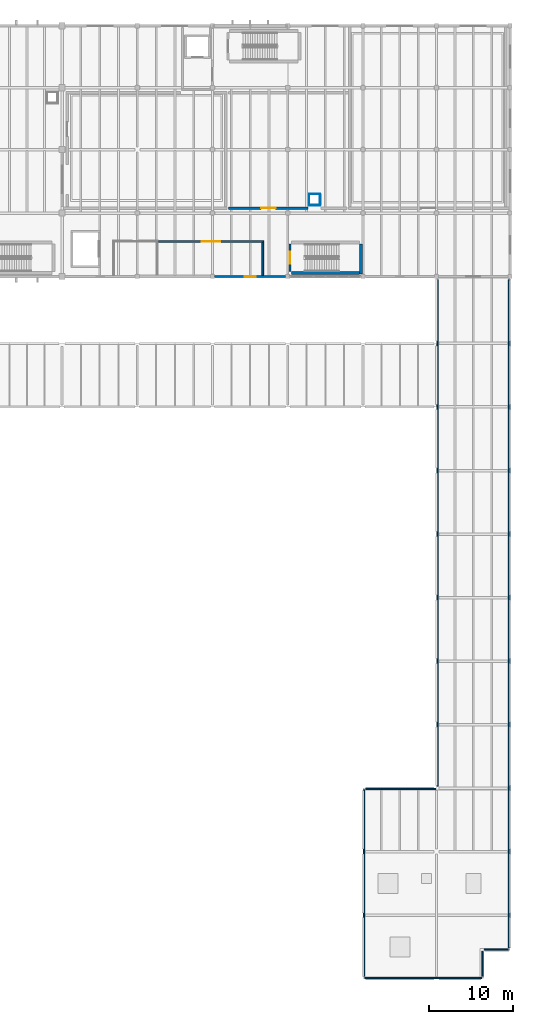
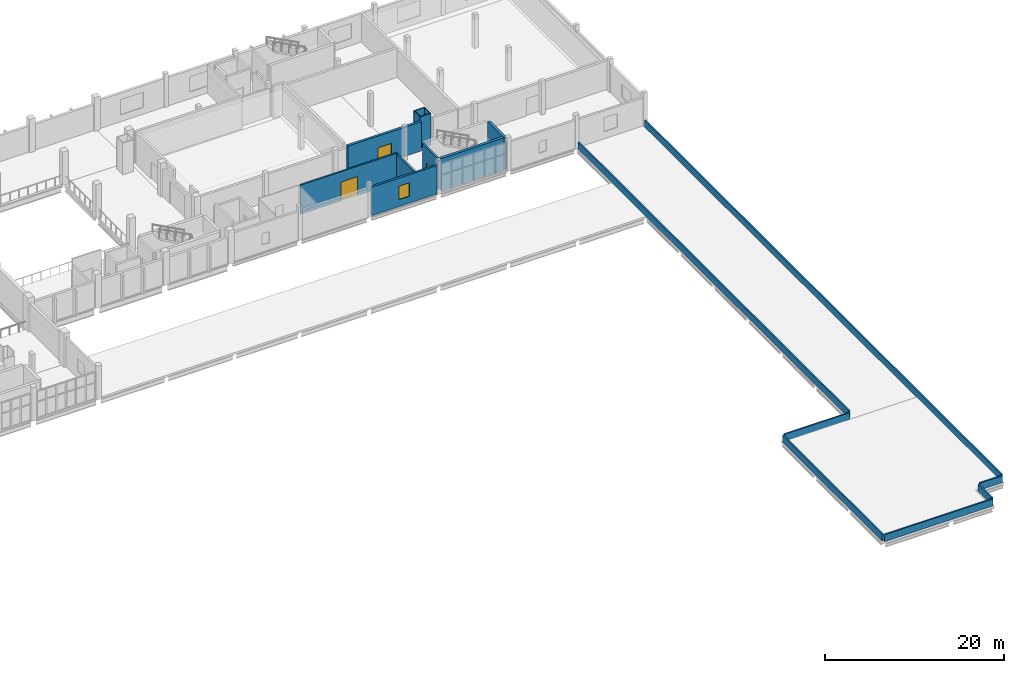
# One storey, part 63 of 74: 18 walls, 3 doors, 1 window, 4 openings.
"""IFC4 building model written with IfcOpenShell, lengths in metres."""

from ifc_helpers import new_model, si_unit, direction, frame, frame_2d, origin, place, context, subcontext, project, spatial, rectangle, extrude, material, layer, layer_set, type_object, element, fill, save


model = new_model("IFC4")

# Units and contexts
model_context = context("Model", 3, precision=1e-05, world=origin(), true_north=direction((0.0, 1.0)))
body_context = subcontext(model_context, "Body", "Model", "MODEL_VIEW")
ifc_project = project(units=[si_unit("LENGTHUNIT", "METRE"), si_unit("AREAUNIT", "SQUARE_METRE"), si_unit("VOLUMEUNIT", "CUBIC_METRE"), si_unit("PLANEANGLEUNIT", "RADIAN"), si_unit("MASSUNIT", "GRAM", prefix="KILO")], contexts=[model_context])

# Site, building, storey
site_placement = place(None, origin())
site = spatial("IfcSite", under=ifc_project, at=site_placement, CompositionType="ELEMENT")
building_placement = place(site_placement, origin())
building = spatial("IfcBuilding", under=site, at=building_placement, Name="Shengluoqiao Park Theatre", CompositionType="ELEMENT")
storey_placement = place(building_placement, frame((0.0, 0.0, 14.60009765625)))
storey = spatial("IfcBuildingStorey", under=building, at=storey_placement, Name="L03", CompositionType="ELEMENT", Elevation=14.60009765625)

# Wall, opening, window
ifc_material_1 = material(Name="Concrete C40", Category="concrete")
ifc_layer_1 = layer(ifc_material_1, 0.27001953125, Name="Concrete C40")
ifc_layer_set_1 = layer_set([ifc_layer_1], Name="Concrete C40")
wall_type_1 = type_object("IfcWallType", Name="ENV-WL-CONC270", PredefinedType="STANDARD", material=ifc_layer_set_1)
wall_1_placement = place(storey_placement, frame((130.654052734375, 84.0, 0.0), z_axis=(0.0, 0.0, 1.0), x_axis=(1.0, 0.0, 0.0)))
wall_1 = element("IfcWall", 1, at=wall_1_placement, inside=storey, type_object=wall_type_1, Name="L03 Exterior Wall 0244", PredefinedType="STANDARD", context=body_context, shape_type="SweptSolid", body=[
    extrude(rectangle(XDim=8.491943359375, YDim=0.27001953125, at=frame_2d((4.24609375, 0.0))), origin(), (0.0, 0.0, 1.0), 3.89794921875),
])
opening_1_placement = place(wall_1_placement, frame((3.571044921875, 0.0, 0.949951171875)))
opening_1 = element("IfcOpeningElement", 2, at=opening_1_placement, cuts=wall_1, Name="Opening W-17", PredefinedType="OPENING", context=body_context, shape_type="SweptSolid", body=[
    extrude(rectangle(XDim=1.35009765625, YDim=1.85009765625, at=frame_2d((0.675048828125, 0.925048828125))), frame((0.0, 0.14501953125, 0.0), z_axis=(0.0, -1.0, 0.0), x_axis=(1.0, 0.0, 0.0)), (0.0, 0.0, 1.0), 0.2900390625),
])
ifc_material_2 = material(Name="Insulated glass", Category="glass")
window_type = type_object("IfcWindowType", Name="ENV-WIN-W17", PartitioningType="SINGLE_PANEL", PredefinedType="WINDOW", material=ifc_material_2)
window_placement = place(opening_1_placement, origin())
window = element("IfcWindow", 3, at=window_placement, inside=storey, type_object=window_type, Name="L03 Acoustic Window 0086", OverallHeight=1.85009765625, OverallWidth=1.35009765625, PartitioningType="SINGLE_PANEL", PredefinedType="WINDOW", context=body_context, shape_type="SweptSolid", body=[
    extrude(rectangle(XDim=1.35009765625, YDim=1.85009765625, at=frame_2d((0.675048828125, 0.925048828125))), frame((0.0, 0.030029296875, 0.0), z_axis=(0.0, -1.0, 0.0), x_axis=(1.0, 0.0, 0.0)), (0.0, 0.0, 1.0), 0.06005859375),
])
fill(opening_1, window)

# Walls
ifc_material_3 = material(Name="Precast concrete C45", Category="concrete")
ifc_layer_2 = layer(ifc_material_3, 0.18994140625, Name="Precast concrete C45")
ifc_layer_set_2 = layer_set([ifc_layer_2], Name="Precast concrete C45")
wall_type_2 = type_object("IfcWallType", Name="ENV-WL-PARA190", PredefinedType="PARAPET", material=ifc_layer_set_2)
wall_2_placement = place(storey_placement, frame((148.60009765625, 0.10009765625, 0.0), z_axis=(0.0, 0.0, 1.0), x_axis=(1.0, 0.0, 0.0)))
element("IfcWall", 4, at=wall_2_placement, inside=storey, type_object=wall_type_2, Name="L03 Roof Parapet Upstand 07", PredefinedType="PARAPET", context=body_context, shape_type="SweptSolid", body=[
    extrude(rectangle(XDim=14.0, YDim=0.18994140625, at=frame_2d((7.0, 0.0))), origin(), (0.0, 0.0, 1.0), 0.949951171875),
])
wall_3_placement = place(storey_placement, frame((162.699951171875, 0.300048828125, 0.0), z_axis=(0.0, 0.0, 1.0), x_axis=(0.0, 1.0, 0.0)))
element("IfcWall", 5, at=wall_3_placement, inside=storey, type_object=wall_type_2, Name="L03 Roof Parapet Upstand 08", PredefinedType="PARAPET", context=body_context, shape_type="SweptSolid", body=[
    extrude(rectangle(XDim=3.0, YDim=0.18994140625, at=frame_2d((1.5, 0.0))), origin(), (0.0, 0.0, 1.0), 0.949951171875),
])
wall_4_placement = place(storey_placement, frame((162.89990234375, 3.5, 0.0), z_axis=(0.0, 0.0, 1.0), x_axis=(1.0, 0.0, 0.0)))
element("IfcWall", 6, at=wall_4_placement, inside=storey, type_object=wall_type_2, Name="L03 Roof Parapet Upstand 09", PredefinedType="PARAPET", context=body_context, shape_type="SweptSolid", body=[
    extrude(rectangle(XDim=2.900146484375, YDim=0.18994140625, at=frame_2d((1.4501953125, 0.0))), origin(), (0.0, 0.0, 1.0), 0.949951171875),
])
wall_5_placement = place(storey_placement, frame((165.89990234375, 3.699951171875, 0.0), z_axis=(0.0, 0.0, 1.0), x_axis=(0.0, 1.0, 0.0)))
element("IfcWall", 7, at=wall_5_placement, inside=storey, type_object=wall_type_2, Name="L03 Roof Parapet Upstand 10", PredefinedType="PARAPET", context=body_context, shape_type="SweptSolid", body=[
    extrude(rectangle(XDim=79.900146484375, YDim=0.18994140625, at=frame_2d((39.9501953125, 0.0))), origin(), (0.0, 0.0, 1.0), 0.949951171875),
])
wall_6_placement = place(storey_placement, frame((157.300048828125, 23.0, 0.0), z_axis=(0.0, 0.0, 1.0), x_axis=(0.0, 1.0, 0.0)))
element("IfcWall", 8, at=wall_6_placement, inside=storey, type_object=wall_type_2, Name="L03 Roof Parapet Upstand 11", PredefinedType="PARAPET", context=body_context, shape_type="SweptSolid", body=[
    extrude(rectangle(XDim=60.60009765625, YDim=0.18994140625, at=frame_2d((30.300048828125, 0.0))), origin(), (0.0, 0.0, 1.0), 0.949951171875),
])
wall_7_placement = place(storey_placement, frame((148.5, 0.300048828125, 0.0), z_axis=(0.0, 0.0, 1.0), x_axis=(0.0, 1.0, 0.0)))
element("IfcWall", 9, at=wall_7_placement, inside=storey, type_object=wall_type_2, Name="L03 Roof Parapet Upstand 12", PredefinedType="PARAPET", context=body_context, shape_type="SweptSolid", body=[
    extrude(rectangle(XDim=22.300048828125, YDim=0.18994140625, at=frame_2d((11.14990234375, 0.0))), origin(), (0.0, 0.0, 1.0), 0.949951171875),
])
wall_8_placement = place(storey_placement, frame((148.699951171875, 22.699951171875, 0.0), z_axis=(0.0, 0.0, 1.0), x_axis=(1.0, 0.0, 0.0)))
element("IfcWall", 10, at=wall_8_placement, inside=storey, type_object=wall_type_2, Name="L03 Roof Parapet Upstand 13", PredefinedType="PARAPET", context=body_context, shape_type="SweptSolid", body=[
    extrude(rectangle(XDim=8.400146484375, YDim=0.18994140625, at=frame_2d((4.2001953125, 0.0))), origin(), (0.0, 0.0, 1.0), 0.949951171875),
])

# Wall, opening, door
ifc_material_4 = material(Name="Gypsum acoustic stud", Category="gypsum")
ifc_layer_3 = layer(ifc_material_4, 0.300048828125, Name="Gypsum acoustic stud")
ifc_layer_set_3 = layer_set([ifc_layer_3], Name="Gypsum acoustic stud")
wall_type_3 = type_object("IfcWallType", Name="INT-WL-ACO300", PredefinedType="PARTITIONING", material=ifc_layer_set_3)
wall_9_placement = place(storey_placement, frame((132.320068359375, 92.199951171875, 0.0), z_axis=(0.0, 0.0, 1.0), x_axis=(1.0, 0.0, 0.0)))
wall_9 = element("IfcWall", 11, at=wall_9_placement, inside=storey, type_object=wall_type_3, Name="Percussion and Brass Section Studio Partition S", PredefinedType="PARTITIONING", context=body_context, shape_type="SweptSolid", body=[
    extrude(rectangle(XDim=9.517333984375, YDim=0.300048828125, at=frame_2d((4.7587890625, 0.0))), origin(), (0.0, 0.0, 1.0), 3.98779296875),
])
opening_2_placement = place(wall_9_placement, frame((3.898681640625, 0.0, 0.0)))
opening_2 = element("IfcOpeningElement", 12, at=opening_2_placement, cuts=wall_9, Name="Opening D-L03-081", PredefinedType="OPENING", context=body_context, shape_type="SweptSolid", body=[
    extrude(rectangle(XDim=1.719970703125, YDim=2.3798828125, at=frame_2d((0.85986328125, 1.18994140625))), frame((0.0, 0.159912109375, 0.0), z_axis=(0.0, -1.0, 0.0), x_axis=(1.0, 0.0, 0.0)), (0.0, 0.0, 1.0), 0.320068359375),
])
ifc_material_5 = material(Name="Acoustic timber", Category="wood")
door_type_1 = type_object("IfcDoorType", Name="INT-DR-REH172", OperationType="DOUBLE_DOOR_SINGLE_SWING", PredefinedType="DOOR", material=ifc_material_5)
door_1_placement = place(opening_2_placement, origin())
door_1 = element("IfcDoor", 13, at=door_1_placement, inside=storey, type_object=door_type_1, Name="Percussion and Brass Section Studio Door D-L03-081", OperationType="DOUBLE_DOOR_SINGLE_SWING", OverallHeight=2.3798828125, OverallWidth=1.719970703125, PredefinedType="DOOR", context=body_context, shape_type="SweptSolid", body=[
    extrude(rectangle(XDim=1.719970703125, YDim=2.3798828125, at=frame_2d((0.85986328125, 1.18994140625))), frame((0.0, 0.02490234375, 0.0), z_axis=(0.0, -1.0, 0.0), x_axis=(1.0, 0.0, 0.0)), (0.0, 0.0, 1.0), 0.050048828125),
])
fill(opening_2, door_1)

ifc_material_6 = material(Name="Concrete blockwork B06", Category="masonry")
ifc_layer_4 = layer(ifc_material_6, 0.2099609375, Name="Concrete blockwork B06")
ifc_layer_set_4 = layer_set([ifc_layer_4], Name="Concrete blockwork B06")
wall_type_4 = type_object("IfcWallType", Name="INT-WL-CMP210", PredefinedType="PARTITIONING", material=ifc_layer_set_4)
wall_10_placement = place(storey_placement, frame((123.93505859375, 88.199951171875, 0.0), z_axis=(0.0, 0.0, 1.0), x_axis=(1.0, 0.0, 0.0)))
wall_10 = element("IfcWall", 14, at=wall_10_placement, inside=storey, type_object=wall_type_4, Name="Wig Makeup and Millinery Studio Partition N", PredefinedType="PARTITIONING", context=body_context, shape_type="SweptSolid", body=[
    extrude(rectangle(XDim=12.56982421875, YDim=0.2099609375, at=frame_2d((6.284912109375, 0.0))), origin(), (0.0, 0.0, 1.0), 3.98779296875),
])
opening_3_placement = place(wall_10_placement, frame((5.195068359375, 0.0, 0.0)))
opening_3 = element("IfcOpeningElement", 15, at=opening_3_placement, cuts=wall_10, Name="Opening D-L03-082", PredefinedType="OPENING", context=body_context, shape_type="SweptSolid", body=[
    extrude(rectangle(XDim=2.179931640625, YDim=2.580078125, at=frame_2d((1.08984375, 1.2900390625))), frame((0.0, 0.114990234375, 0.0), z_axis=(0.0, -1.0, 0.0), x_axis=(1.0, 0.0, 0.0)), (0.0, 0.0, 1.0), 0.22998046875),
])
ifc_material_7 = material(Name="Steel Q355", Category="steel")
door_type_2 = type_object("IfcDoorType", Name="INT-DR-WKS218", OperationType="DOUBLE_DOOR_SINGLE_SWING", PredefinedType="DOOR", material=ifc_material_7)
door_2_placement = place(opening_3_placement, origin())
door_2 = element("IfcDoor", 16, at=door_2_placement, inside=storey, type_object=door_type_2, Name="Wig Makeup and Millinery Studio Door D-L03-082", OperationType="DOUBLE_DOOR_SINGLE_SWING", OverallHeight=2.580078125, OverallWidth=2.179931640625, PredefinedType="DOOR", context=body_context, shape_type="SweptSolid", body=[
    extrude(rectangle(XDim=2.179931640625, YDim=2.580078125, at=frame_2d((1.08984375, 1.2900390625))), frame((0.0, 0.02490234375, 0.0), z_axis=(0.0, -1.0, 0.0), x_axis=(1.0, 0.0, 0.0)), (0.0, 0.0, 1.0), 0.050048828125),
])
fill(opening_3, door_2)

# Walls
wall_11_placement = place(storey_placement, frame((136.39990234375, 84.14306640625, 0.0), z_axis=(0.0, 0.0, 1.0), x_axis=(0.0, 1.0, 0.0)))
element("IfcWall", 17, at=wall_11_placement, inside=storey, type_object=wall_type_4, Name="Wig Makeup and Millinery Studio Partition E", PredefinedType="PARTITIONING", context=body_context, shape_type="SweptSolid", body=[
    extrude(rectangle(XDim=3.946044921875, YDim=0.2099609375, at=frame_2d((1.97314453125, 0.0))), origin(), (0.0, 0.0, 1.0), 3.89794921875),
])
ifc_material_8 = material(Name="Gypsum shaftwall", Category="gypsum")
ifc_layer_5 = layer(ifc_material_8, 0.094970703125, Name="Gypsum shaftwall")
ifc_layer_set_5 = layer_set([ifc_layer_5], Name="Gypsum shaftwall")
wall_type_5 = type_object("IfcWallType", Name="INT-WL-RSR095", PredefinedType="PARTITIONING", material=ifc_layer_set_5)
for number, where, z_axis, x_axis, name in (
    (18, (141.905029296875, 92.550048828125, 0.0), (0.0, 0.0, 1.0), (1.0, 0.0, 0.0), "L03 Service Riser Shaftwall 165"),
    (19, (141.905029296875, 93.8701171875, 0.0), (0.0, 0.0, 1.0), (1.0, 0.0, 0.0), "L03 Service Riser Shaftwall 166"),
):
    element("IfcWall", number, at=place(storey_placement, frame(where, z_axis=z_axis, x_axis=x_axis)), inside=storey, type_object=wall_type_5, Name=name, PredefinedType="PARTITIONING", context=body_context, shape_type="SweptSolid", body=[
        extrude(rectangle(XDim=1.409912109375, YDim=0.094970703125, at=frame_2d((0.705078125, 0.0))), origin(), (0.0, 0.0, 1.0), 4.35986328125),
    ])
for number, where, z_axis, x_axis, name in (
    (20, (141.949951171875, 92.60498046875, 0.0), (0.0, 0.0, 1.0), (0.0, 1.0, 0.0), "L03 Service Riser Shaftwall 167"),
    (21, (143.27001953125, 92.60498046875, 0.0), (0.0, 0.0, 1.0), (0.0, 1.0, 0.0), "L03 Service Riser Shaftwall 168"),
):
    element("IfcWall", number, at=place(storey_placement, frame(where, z_axis=z_axis, x_axis=x_axis)), inside=storey, type_object=wall_type_5, Name=name, PredefinedType="PARTITIONING", context=body_context, shape_type="SweptSolid", body=[
        extrude(rectangle(XDim=1.2099609375, YDim=0.094970703125, at=frame_2d((0.60498046875, 0.0))), origin(), (0.0, 0.0, 1.0), 4.35986328125),
    ])

# Wall, opening, door
ifc_layer_6 = layer(ifc_material_1, 0.239990234375, Name="Concrete C40")
ifc_layer_set_6 = layer_set([ifc_layer_6], Name="Concrete C40")
wall_type_6 = type_object("IfcWallType", Name="INT-WL-STW240", PredefinedType="STANDARD", material=ifc_layer_set_6)
wall_12_placement = place(storey_placement, frame((139.659912109375, 84.610107421875, 0.0), z_axis=(0.0, 0.0, 1.0), x_axis=(0.0, 1.0, 0.0)))
wall_12 = element("IfcWall", 22, at=wall_12_placement, inside=storey, type_object=wall_type_6, Name="L03 ST-10 Stairwell Fire Wall", PredefinedType="STANDARD", context=body_context, shape_type="SweptSolid", body=[
    extrude(rectangle(XDim=3.27978515625, YDim=0.239990234375, at=frame_2d((1.639892578125, 0.0))), origin(), (0.0, 0.0, 1.0), 4.35986328125),
])
opening_4_placement = place(wall_12_placement, frame((0.9150390625, 0.0, 0.0)))
opening_4 = element("IfcOpeningElement", 23, at=opening_4_placement, cuts=wall_12, Name="Opening SD-10-L03", PredefinedType="OPENING", context=body_context, shape_type="SweptSolid", body=[
    extrude(rectangle(XDim=1.449951171875, YDim=2.199951171875, at=frame_2d((0.72509765625, 1.10009765625))), frame((0.0, 0.1298828125, 0.0), z_axis=(0.0, -1.0, 0.0), x_axis=(1.0, 0.0, 0.0)), (0.0, 0.0, 1.0), 0.260009765625),
])
door_type_3 = type_object("IfcDoorType", Name="INT-DR-STW145", OperationType="DOUBLE_DOOR_SINGLE_SWING", PredefinedType="DOOR", material=ifc_material_7)
door_3_placement = place(opening_4_placement, origin())
door_3 = element("IfcDoor", 24, at=door_3_placement, inside=storey, type_object=door_type_3, Name="L03 ST-10 Escape Stair Door SD-10-L03", OperationType="DOUBLE_DOOR_SINGLE_SWING", OverallHeight=2.199951171875, OverallWidth=1.449951171875, PredefinedType="DOOR", context=body_context, shape_type="SweptSolid", body=[
    extrude(rectangle(XDim=1.449951171875, YDim=2.199951171875, at=frame_2d((0.72509765625, 1.10009765625))), frame((0.0, 0.02490234375, 0.0), z_axis=(0.0, -1.0, 0.0), x_axis=(1.0, 0.0, 0.0)), (0.0, 0.0, 1.0), 0.050048828125),
])
fill(opening_4, door_3)

# Walls
ifc_material_9 = material(Name="Concrete C50", Category="concrete")
ifc_layer_7 = layer(ifc_material_9, 0.35009765625, Name="Concrete C50")
ifc_layer_set_7 = layer_set([ifc_layer_7], Name="Concrete C50")
wall_type_7 = type_object("IfcWallType", Name="STR-SW-CORE350", PredefinedType="SHEAR", material=ifc_layer_set_7)
wall_13_placement = place(storey_placement, frame((139.85009765625, 84.419921875, 0.0), z_axis=(0.0, 0.0, 1.0), x_axis=(1.0, 0.0, 0.0)))
element("IfcWall", 25, at=wall_13_placement, inside=storey, type_object=wall_type_7, Name="L03 ST-10 Core Left Shear Wall 0139", PredefinedType="SHEAR", context=body_context, shape_type="SweptSolid", body=[
    extrude(rectangle(XDim=8.14990234375, YDim=0.35009765625, at=frame_2d((4.074951171875, 0.0))), origin(), (0.0, 0.0, 1.0), 4.35986328125),
])
wall_14_placement = place(storey_placement, frame((148.179931640625, 84.280029296875, 0.0), z_axis=(0.0, 0.0, 1.0), x_axis=(0.0, 1.0, 0.0)))
element("IfcWall", 26, at=wall_14_placement, inside=storey, type_object=wall_type_7, Name="L03 ST-10 Core Far Shear Wall 0140", PredefinedType="SHEAR", context=body_context, shape_type="SweptSolid", body=[
    extrude(rectangle(XDim=3.619873046875, YDim=0.35009765625, at=frame_2d((1.81005859375, 0.0))), origin(), (0.0, 0.0, 1.0), 4.35986328125),
])

save(model, "model.ifc")
